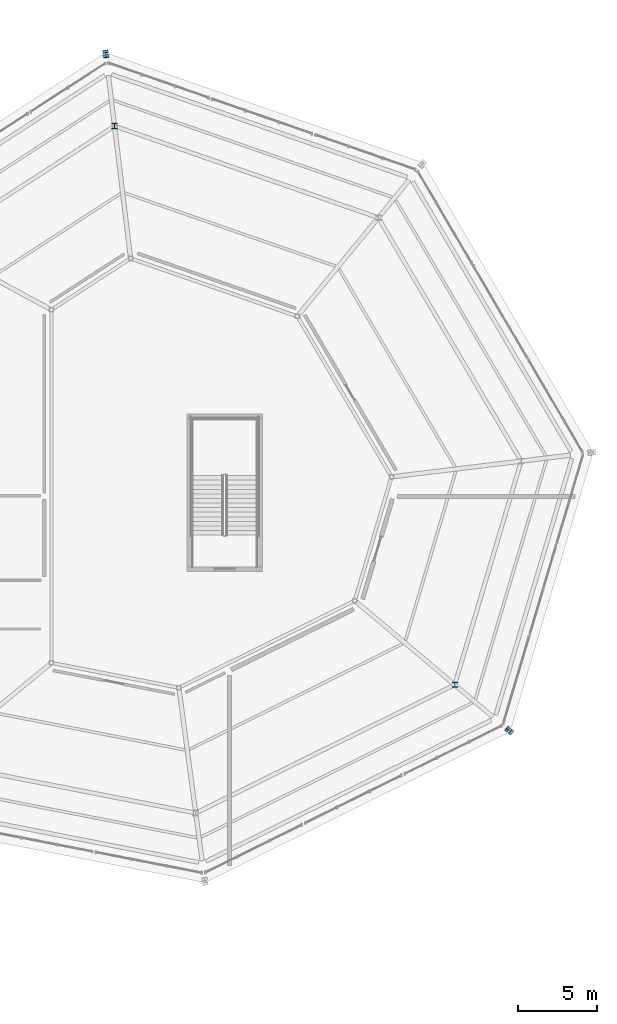
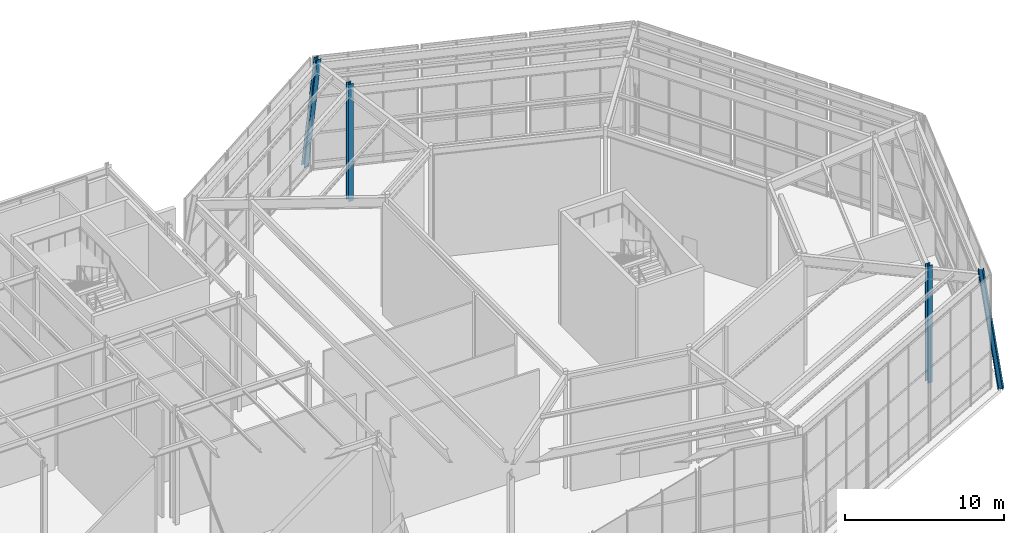
# One storey, part 8 of 48: 4 columns.
"""IFC4 building model written with IfcOpenShell, lengths in metres."""

from ifc_helpers import new_model, si_unit, direction, frame, origin, origin_2d, place, context, subcontext, project, spatial, i_section, extrude, material, material_profile, profile_set, type_object, element, save


model = new_model("IFC4")

# Units and contexts
model_context = context("Model", 3, precision=1e-05, world=origin(), true_north=direction((0.0, 1.0)))
body_context = subcontext(model_context, "Body", "Model", "MODEL_VIEW")
ifc_project = project(units=[si_unit("LENGTHUNIT", "METRE"), si_unit("AREAUNIT", "SQUARE_METRE"), si_unit("VOLUMEUNIT", "CUBIC_METRE"), si_unit("PLANEANGLEUNIT", "RADIAN"), si_unit("MASSUNIT", "GRAM", prefix="KILO")], contexts=[model_context])

# Site, building, storey
site_placement = place(None, origin())
site = spatial("IfcSite", under=ifc_project, at=site_placement, CompositionType="ELEMENT")
building_placement = place(site_placement, origin())
building = spatial("IfcBuilding", under=site, at=building_placement, Name="Sarnbrook Museum", CompositionType="ELEMENT")
storey_placement = place(building_placement, frame((0.0, 0.0, 19.10009765625)))
storey = spatial("IfcBuildingStorey", under=building, at=storey_placement, Name="L04", CompositionType="ELEMENT", Elevation=19.10009765625)

# Columns
ifc_material = material(Name="Structural Steel Grade 350L0 (AS/NZS 3678, fy = 340 MPa for 20 < t <= 40 mm)", Category="steel")
ifc_material_profile = material_profile(ifc_material, i_section(OverallWidth=0.35009765625, OverallDepth=0.3310546875, WebThickness=0.02001953125, FlangeThickness=0.028076171875, at=origin_2d()), Name="350WC197")
ifc_profile_set = profile_set([ifc_material_profile], Name="Structural Steel Grade 350L0 (AS/NZS 3678, fy = 340 MPa for 20 < t <= 40 mm)")
column_type = type_object("IfcColumnType", Name="COL-WC350", PredefinedType="COLUMN", material=ifc_profile_set)
column_1_placement = place(storey_placement, frame((161.916748046875, 70.048828125, 0.0), z_axis=(-0.108747461016, 0.091562677053, 0.989843556272), x_axis=(-0.644077580192, -0.764960175888, 0.0)))
element("IfcColumn", 1, at=column_1_placement, inside=storey, type_object=column_type, Name="Raking Crystal Rib Column V3 L04", PredefinedType="COLUMN", context=body_context, shape_type="SweptSolid", body=[
    extrude(i_section(OverallWidth=0.35009765625, OverallDepth=0.3310546875, WebThickness=0.02001953125, FlangeThickness=0.028076171875, at=origin_2d()), origin(), (0.0, 0.0, 1.0), 9.09228515625),
])
column_2_placement = place(storey_placement, frame((158.392822265625, 73.015869140625, 0.0), z_axis=(0.0, 0.0, 1.0), x_axis=(1.0, 0.0, 0.0)))
element("IfcColumn", 2, at=column_2_placement, inside=storey, type_object=column_type, Name="Crystal Hall Ring Column R1-3 L04", PredefinedType="COLUMN", context=body_context, shape_type="SweptSolid", body=[
    extrude(i_section(OverallWidth=0.35009765625, OverallDepth=0.3310546875, WebThickness=0.02001953125, FlangeThickness=0.028076171875, at=origin_2d()), origin(), (0.0, 0.0, 1.0), 9.0),
])
column_3_placement = place(storey_placement, frame((136.23828125, 113.135986328125, 0.0), z_axis=(0.017445974662, -0.143969550907, 0.989428323013), x_axis=(0.99273780119, 0.120298204842, 0.0)))
element("IfcColumn", 3, at=column_3_placement, inside=storey, type_object=column_type, Name="Raking Crystal Rib Column V6 L04", PredefinedType="COLUMN", context=body_context, shape_type="SweptSolid", body=[
    extrude(i_section(OverallWidth=0.35009765625, OverallDepth=0.3310546875, WebThickness=0.02001953125, FlangeThickness=0.028076171875, at=origin_2d()), origin(), (0.0, 0.0, 1.0), 9.09619140625),
])
column_4_placement = place(storey_placement, frame((136.803955078125, 108.469482421875, 0.0), z_axis=(0.0, 0.0, 1.0), x_axis=(1.0, 0.0, 0.0)))
element("IfcColumn", 4, at=column_4_placement, inside=storey, type_object=column_type, Name="Crystal Hall Ring Column R1-6 L04", PredefinedType="COLUMN", context=body_context, shape_type="SweptSolid", body=[
    extrude(i_section(OverallWidth=0.35009765625, OverallDepth=0.3310546875, WebThickness=0.02001953125, FlangeThickness=0.028076171875, at=origin_2d()), origin(), (0.0, 0.0, 1.0), 9.0),
])

save(model, "model.ifc")
